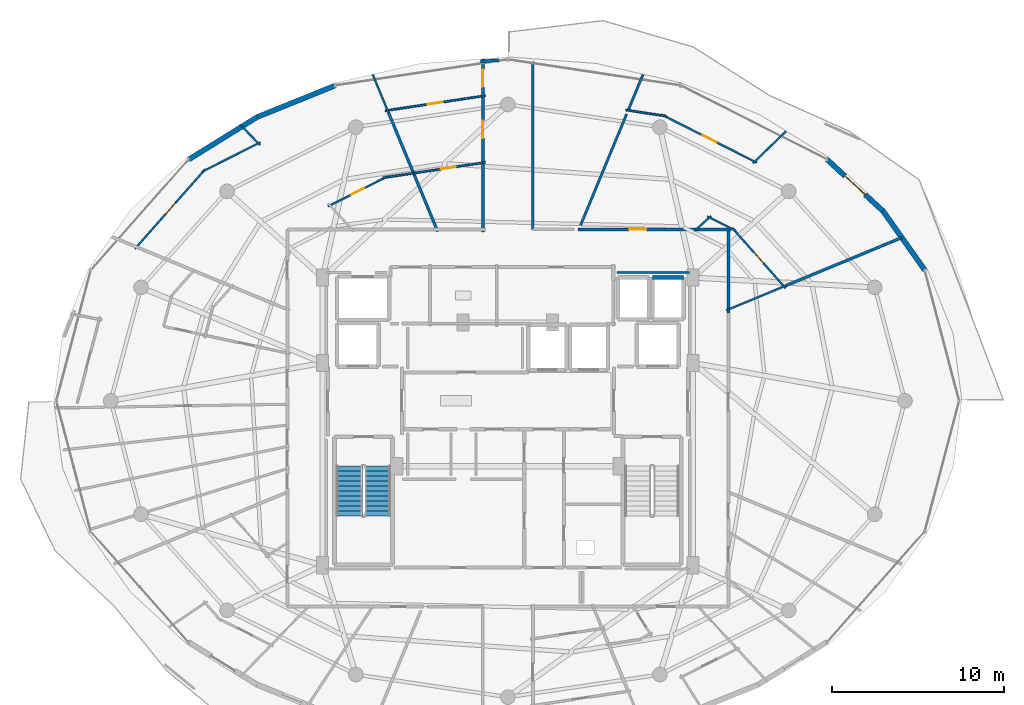
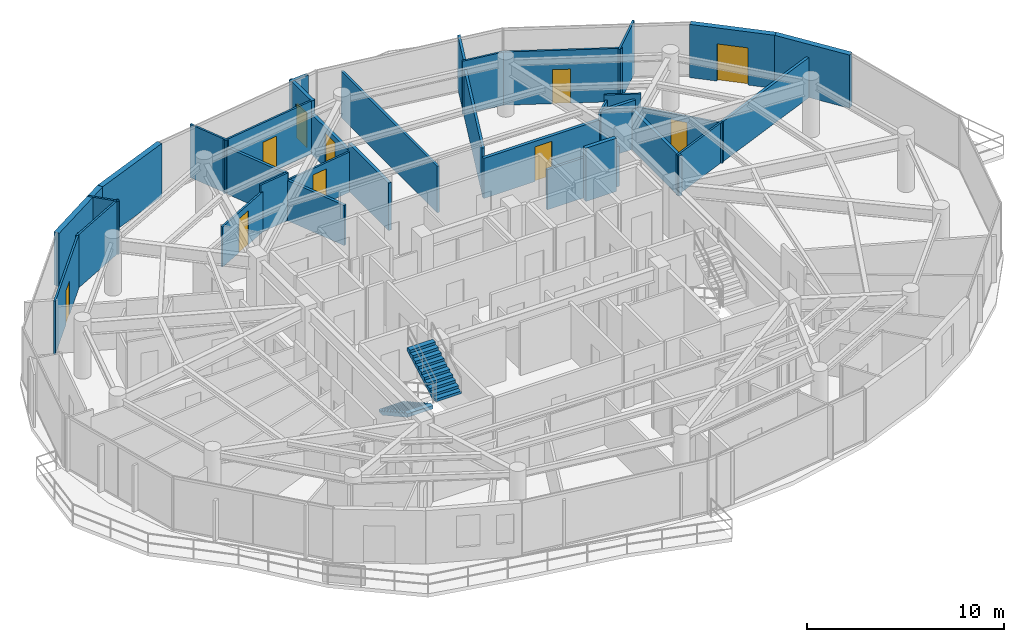
# One storey, part 28 of 32: 34 walls, 10 doors, 2 stair flights, 10 openings, 1 element without a shape of its own.
"""IFC4 building model written with IfcOpenShell, lengths in metres."""

from ifc_helpers import new_model, si_unit, direction, frame, frame_2d, origin, place, context, subcontext, project, spatial, polyline, rectangle, outline, extrude, material, layer, layer_set, type_object, element, fill, aggregate, save


model = new_model("IFC4")

# Units and contexts
model_context = context("Model", 3, precision=1e-05, world=origin(), true_north=direction((0.0, 1.0)))
body_context = subcontext(model_context, "Body", "Model", "MODEL_VIEW")
ifc_project = project(units=[si_unit("LENGTHUNIT", "METRE"), si_unit("AREAUNIT", "SQUARE_METRE"), si_unit("VOLUMEUNIT", "CUBIC_METRE"), si_unit("PLANEANGLEUNIT", "RADIAN"), si_unit("MASSUNIT", "GRAM", prefix="KILO")], contexts=[model_context])

# Site, building, storey
site_placement = place(None, origin())
site = spatial("IfcSite", under=ifc_project, at=site_placement, CompositionType="ELEMENT")
building_placement = place(site_placement, origin())
building = spatial("IfcBuilding", under=site, at=building_placement, Name="Vorneva Point Tower", CompositionType="ELEMENT")
storey_placement = place(building_placement, frame((0.0, 0.0, 269.75)))
storey = spatial("IfcBuildingStorey", under=building, at=storey_placement, Name="L73", CompositionType="ELEMENT", Elevation=269.75)

# Wall
ifc_material_1 = material(Name="Precast concrete B50 (C40/50)", Category="concrete")
ifc_layer_1 = layer(ifc_material_1, 0.300048828125)
ifc_layer_set_1 = layer_set([ifc_layer_1], Name="Precast concrete B50 (C40/50)")
wall_type_1 = type_object("IfcWallType", Name="WL-EXT-300", PredefinedType="STANDARD", material=ifc_layer_set_1)
wall_1_placement = place(storey_placement, frame((62.20556640625, 33.5810546875, 0.0), z_axis=(0.0, 0.0, 1.0), x_axis=(-0.577261247247, 0.816559521668, 0.0)))
element("IfcWall", 1, at=wall_1_placement, inside=storey, type_object=wall_type_1, Name="L73 Pale-Metal Facade Spandrel Wall 02.1", PredefinedType="STANDARD", context=body_context, shape_type="SweptSolid", body=[
    extrude(rectangle(XDim=4.194091796875, YDim=0.300048828125, at=frame_2d((2.09716796875, 0.0))), origin(), (0.0, 0.0, 1.0), 3.2900390625),
])

# Wall, opening, door
wall_2_placement = place(storey_placement, frame((59.784423828125, 37.005859375, 0.0), z_axis=(0.0, 0.0, 1.0), x_axis=(-0.735445373611, 0.677584018727, 0.0)))
wall_2 = element("IfcWall", 2, at=wall_2_placement, inside=storey, type_object=wall_type_1, Name="L73 Pale-Metal Facade Spandrel Wall 02.2", PredefinedType="STANDARD", context=body_context, shape_type="SweptSolid", body=[
    extrude(rectangle(XDim=4.430419921875, YDim=0.300048828125, at=frame_2d((2.21533203125, 0.0))), origin(), (0.0, 0.0, 1.0), 3.2900390625),
])
opening_1_placement = place(wall_2_placement, frame((1.415283203125, 0.0, 0.0)))
opening_1 = element("IfcOpeningElement", 3, at=opening_1_placement, cuts=wall_2, Name="Opening BD-01", PredefinedType="OPENING", context=body_context, shape_type="SweptSolid", body=[
    extrude(rectangle(XDim=1.60009765625, YDim=2.300048828125, at=frame_2d((0.800048828125, 1.14990234375))), frame((0.0, 0.1650390625, 0.0), z_axis=(0.0, -1.0, 0.0), x_axis=(1.0, 0.0, 0.0)), (0.0, 0.0, 1.0), 0.329833984375),
])
ifc_material_2 = material(Name="Pale anodised aluminium", Category="aluminium")
door_type_1 = type_object("IfcDoorType", Name="DR-BAL-1600", OperationType="SLIDING_TO_LEFT", PredefinedType="DOOR", material=ifc_material_2)
door_1_placement = place(opening_1_placement, origin())
door_1 = element("IfcDoor", 4, at=door_1_placement, inside=storey, type_object=door_type_1, Name="L73 Balcony Terrace Access Door 02", OperationType="SLIDING_TO_LEFT", OverallHeight=2.300048828125, OverallWidth=1.60009765625, PredefinedType="DOOR", context=body_context, shape_type="SweptSolid", body=[
    extrude(rectangle(XDim=1.60009765625, YDim=2.300048828125, at=frame_2d((0.800048828125, 1.14990234375))), frame((0.0, 0.02490234375, 0.0), z_axis=(0.0, -1.0, 0.0), x_axis=(1.0, 0.0, 0.0)), (0.0, 0.0, 1.0), 0.050048828125),
])
fill(opening_1, door_1)

# Walls
wall_3_placement = place(storey_placement, frame((27.9736328125, 44.302001953125, 0.0), z_axis=(0.0, 0.0, 1.0), x_axis=(-0.927147375511, -0.374696869594, 0.0)))
element("IfcWall", 5, at=wall_3_placement, inside=storey, type_object=wall_type_1, Name="L73 Pale-Metal Facade Spandrel Wall 06.1", PredefinedType="STANDARD", context=body_context, shape_type="SweptSolid", body=[
    extrude(rectangle(XDim=4.885498046875, YDim=0.300048828125, at=frame_2d((2.44287109375, 0.0))), origin(), (0.0, 0.0, 1.0), 3.2900390625),
])
wall_4_placement = place(storey_placement, frame((23.444091796875, 42.471435546875, 0.0), z_axis=(0.0, 0.0, 1.0), x_axis=(-0.849702323036, -0.527262707032, 0.0)))
element("IfcWall", 6, at=wall_4_placement, inside=storey, type_object=wall_type_1, Name="L73 Pale-Metal Facade Spandrel Wall 06.2", PredefinedType="STANDARD", context=body_context, shape_type="SweptSolid", body=[
    extrude(rectangle(XDim=4.67236328125, YDim=0.300048828125, at=frame_2d((2.336181640625, 0.0))), origin(), (0.0, 0.0, 1.0), 3.2900390625),
])
ifc_material_3 = material(Name="Fire-rated acoustic gypsum stud partition", Category="gypsum")
ifc_layer_2 = layer(ifc_material_3, 0.110107421875)
ifc_layer_set_2 = layer_set([ifc_layer_2], Name="Fire-rated acoustic gypsum stud partition")
wall_type_2 = type_object("IfcWallType", Name="WL-PART-110", PredefinedType="PARTITIONING", material=ifc_layer_set_2)
wall_5_placement = place(storey_placement, frame((48.831298828125, 35.855712890625, 0.0), z_axis=(0.0, 0.0, 1.0), x_axis=(0.739696022243, 0.672941152463, 0.0)))
element("IfcWall", 7, at=wall_5_placement, inside=storey, type_object=wall_type_2, Name="L73 Interior Partition 065", PredefinedType="PARTITIONING", context=body_context, shape_type="SweptSolid", body=[
    extrude(rectangle(XDim=1.31298828125, YDim=0.110107421875, at=frame_2d((0.656494140625, 0.0))), origin(), (0.0, 0.0, 1.0), 2.97900390625),
])
wall_6_placement = place(storey_placement, frame((49.573974609375, 36.7080078125, 0.0), z_axis=(0.0, 0.0, 1.0), x_axis=(0.8925722309, -0.450904438464, 0.0)))
element("IfcWall", 8, at=wall_6_placement, inside=storey, type_object=wall_type_2, Name="L73 Interior Partition 066", PredefinedType="PARTITIONING", context=body_context, shape_type="SweptSolid", body=[
    extrude(rectangle(XDim=1.876708984375, YDim=0.110107421875, at=frame_2d((0.9384765625, 0.0))), origin(), (0.0, 0.0, 1.0), 3.2900390625),
])

# Wall, opening, door
wall_7_placement = place(storey_placement, frame((51.03125, 36.02978515625, 0.0), z_axis=(0.0, 0.0, 1.0), x_axis=(0.662106207726, -0.749410014405, 0.0)))
wall_7 = element("IfcWall", 9, at=wall_7_placement, inside=storey, type_object=wall_type_2, Name="L73 Interior Partition 067", PredefinedType="PARTITIONING", context=body_context, shape_type="SweptSolid", body=[
    extrude(rectangle(XDim=4.66455078125, YDim=0.110107421875, at=frame_2d((2.332275390625, 0.0))), origin(), (0.0, 0.0, 1.0), 2.48193359375),
])
opening_2_placement = place(wall_7_placement, frame((1.9072265625, 0.0, 0.0)))
opening_2 = element("IfcOpeningElement", 10, at=opening_2_placement, cuts=wall_7, Name="Opening ID-02", PredefinedType="OPENING", context=body_context, shape_type="SweptSolid", body=[
    extrude(rectangle(XDim=0.85009765625, YDim=2.10009765625, at=frame_2d((0.425048828125, 1.050048828125))), frame((0.0, 0.06982421875, 0.0), z_axis=(0.0, -1.0, 0.0), x_axis=(1.0, 0.0, 0.0)), (0.0, 0.0, 1.0), 0.139892578125),
])
ifc_material_4 = material(Name="Engineered oak fire-rated door leaf", Category="wood")
door_type_2 = type_object("IfcDoorType", Name="DR-BATH-850", OperationType="NOTDEFINED", PredefinedType="DOOR", material=ifc_material_4)
door_2_placement = place(opening_2_placement, origin())
door_2 = element("IfcDoor", 11, at=door_2_placement, inside=storey, type_object=door_type_2, Name="L73 Door Studio Apartment L73-01 / Bathroom L73-01", OperationType="SINGLE_SWING_LEFT", OverallHeight=2.10009765625, OverallWidth=0.85009765625, PredefinedType="DOOR", context=body_context, shape_type="SweptSolid", body=[
    extrude(rectangle(XDim=0.85009765625, YDim=2.10009765625, at=frame_2d((0.425048828125, 1.050048828125))), frame((0.0, 0.02490234375, 0.0), z_axis=(0.0, -1.0, 0.0), x_axis=(1.0, 0.0, 0.0)), (0.0, 0.0, 1.0), 0.050048828125),
])
fill(opening_2, door_2)

# Wall
wall_8_placement = place(storey_placement, frame((54.15625, 32.692626953125, 0.0), z_axis=(0.0, 0.0, 1.0), x_axis=(-0.923827524065, -0.382808967736, 0.0)))
element("IfcWall", 12, at=wall_8_placement, inside=storey, type_object=wall_type_2, Name="L73 Interior Partition 068", PredefinedType="PARTITIONING", context=body_context, shape_type="SweptSolid", body=[
    extrude(rectangle(XDim=3.77294921875, YDim=0.110107421875, at=frame_2d((1.886474609375, 0.0))), origin(), (0.0, 0.0, 1.0), 2.48193359375),
])

# Wall, opening, door
wall_9_placement = place(storey_placement, frame((52.451904296875, 39.82080078125, 0.0), z_axis=(0.0, 0.0, 1.0), x_axis=(-0.89248283876, 0.451081348007, 0.0)))
wall_9 = element("IfcWall", 13, at=wall_9_placement, inside=storey, type_object=wall_type_2, Name="L73 Interior Partition 069", PredefinedType="PARTITIONING", context=body_context, shape_type="SweptSolid", body=[
    extrude(rectangle(XDim=6.17919921875, YDim=0.110107421875, at=frame_2d((3.089599609375, 0.0))), origin(), (0.0, 0.0, 1.0), 3.2900390625),
])
opening_3_placement = place(wall_9_placement, frame((2.6396484375, 0.0, 0.0)))
opening_3 = element("IfcOpeningElement", 14, at=opening_3_placement, cuts=wall_9, Name="Opening ID-01", PredefinedType="OPENING", context=body_context, shape_type="SweptSolid", body=[
    extrude(rectangle(XDim=0.89990234375, YDim=2.10009765625, at=frame_2d((0.449951171875, 1.050048828125))), frame((0.0, 0.06982421875, 0.0), z_axis=(0.0, -1.0, 0.0), x_axis=(1.0, 0.0, 0.0)), (0.0, 0.0, 1.0), 0.139892578125),
])
door_type_3 = type_object("IfcDoorType", Name="DR-ROOM-900", OperationType="NOTDEFINED", PredefinedType="DOOR", material=ifc_material_4)
door_3_placement = place(opening_3_placement, origin())
door_3 = element("IfcDoor", 15, at=door_3_placement, inside=storey, type_object=door_type_3, Name="L73 Door Studio Apartment L73-01 / Kitchen L73-01", OperationType="SINGLE_SWING_RIGHT", OverallHeight=2.10009765625, OverallWidth=0.89990234375, PredefinedType="DOOR", context=body_context, shape_type="SweptSolid", body=[
    extrude(rectangle(XDim=0.89990234375, YDim=2.10009765625, at=frame_2d((0.449951171875, 1.050048828125))), frame((0.0, 0.02490234375, 0.0), z_axis=(0.0, -1.0, 0.0), x_axis=(1.0, 0.0, 0.0)), (0.0, 0.0, 1.0), 0.050048828125),
])
fill(opening_3, door_3)

# Walls
wall_10_placement = place(storey_placement, frame((47.200439453125, 42.524169921875, 0.0), z_axis=(0.0, 0.0, 1.0), x_axis=(-0.988853520249, 0.148891623308, 0.0)))
element("IfcWall", 16, at=wall_10_placement, inside=storey, type_object=wall_type_2, Name="L73 Interior Partition 070", PredefinedType="PARTITIONING", context=body_context, shape_type="SweptSolid", body=[
    extrude(rectangle(XDim=2.382568359375, YDim=0.110107421875, at=frame_2d((1.19140625, 0.0))), origin(), (0.0, 0.0, 1.0), 3.2900390625),
])
wall_11_placement = place(storey_placement, frame((54.1435546875, 41.644287109375, 0.0), z_axis=(0.0, 0.0, 1.0), x_axis=(-0.718131661866, -0.695907261225, 0.0)))
element("IfcWall", 17, at=wall_11_placement, inside=storey, type_object=wall_type_2, Name="L73 Interior Partition 071", PredefinedType="PARTITIONING", context=body_context, shape_type="SweptSolid", body=[
    extrude(rectangle(XDim=2.66943359375, YDim=0.110107421875, at=frame_2d((1.334716796875, 0.0))), origin(), (0.0, 0.0, 1.0), 3.2900390625),
])

# Wall, opening, door
wall_12_placement = place(storey_placement, frame((32.4033203125, 39.1943359375, 0.0), z_axis=(0.0, 0.0, 1.0), x_axis=(0.988876765206, 0.148737161585, 0.0)))
wall_12 = element("IfcWall", 18, at=wall_12_placement, inside=storey, type_object=wall_type_2, Name="L73 Interior Partition 073", PredefinedType="PARTITIONING", context=body_context, shape_type="SweptSolid", body=[
    extrude(rectangle(XDim=4.333251953125, YDim=0.110107421875, at=frame_2d((2.16650390625, 0.0))), origin(), (0.0, 0.0, 1.0), 2.48193359375),
])
opening_4_placement = place(wall_12_placement, frame((1.734130859375, 0.0, 0.0)))
opening_4 = element("IfcOpeningElement", 19, at=opening_4_placement, cuts=wall_12, Name="Opening ID-02", PredefinedType="OPENING", context=body_context, shape_type="SweptSolid", body=[
    extrude(rectangle(XDim=0.85009765625, YDim=2.10009765625, at=frame_2d((0.425048828125, 1.050048828125))), frame((0.0, 0.06982421875, 0.0), z_axis=(0.0, -1.0, 0.0), x_axis=(1.0, 0.0, 0.0)), (0.0, 0.0, 1.0), 0.139892578125),
])
door_4_placement = place(opening_4_placement, origin())
door_4 = element("IfcDoor", 20, at=door_4_placement, inside=storey, type_object=door_type_2, Name="L73 Door Studio Apartment L73-02 / Bathroom L73-02", OperationType="SINGLE_SWING_LEFT", OverallHeight=2.10009765625, OverallWidth=0.85009765625, PredefinedType="DOOR", context=body_context, shape_type="SweptSolid", body=[
    extrude(rectangle(XDim=0.85009765625, YDim=2.10009765625, at=frame_2d((0.425048828125, 1.050048828125))), frame((0.0, 0.02490234375, 0.0), z_axis=(0.0, -1.0, 0.0), x_axis=(1.0, 0.0, 0.0)), (0.0, 0.0, 1.0), 0.050048828125),
])
fill(opening_4, door_4)

# Wall
wall_13_placement = place(storey_placement, frame((31.070556640625, 42.728759765625, 0.0), z_axis=(0.0, 0.0, 1.0), x_axis=(-0.382798716902, 0.923831771665, 0.0)))
element("IfcWall", 21, at=wall_13_placement, inside=storey, type_object=wall_type_2, Name="L73 Interior Partition 074", PredefinedType="PARTITIONING", context=body_context, shape_type="SweptSolid", body=[
    extrude(rectangle(XDim=2.396240234375, YDim=0.110107421875, at=frame_2d((1.1982421875, 0.0))), origin(), (0.0, 0.0, 1.0), 3.2900390625),
])

# Wall, opening, door
wall_14_placement = place(storey_placement, frame((36.6884765625, 43.710693359375, 0.0), z_axis=(0.0, 0.0, 1.0), x_axis=(-0.988884781275, -0.1486838571, 0.0)))
wall_14 = element("IfcWall", 22, at=wall_14_placement, inside=storey, type_object=wall_type_2, Name="L73 Interior Partition 075", PredefinedType="PARTITIONING", context=body_context, shape_type="SweptSolid", body=[
    extrude(rectangle(XDim=5.875, YDim=0.110107421875, at=frame_2d((2.9375, 0.0))), origin(), (0.0, 0.0, 1.0), 3.2900390625),
])
opening_5_placement = place(wall_14_placement, frame((2.487548828125, 0.0, 0.0)))
opening_5 = element("IfcOpeningElement", 23, at=opening_5_placement, cuts=wall_14, Name="Opening ID-01", PredefinedType="OPENING", context=body_context, shape_type="SweptSolid", body=[
    extrude(rectangle(XDim=0.89990234375, YDim=2.10009765625, at=frame_2d((0.449951171875, 1.050048828125))), frame((0.0, 0.06982421875, 0.0), z_axis=(0.0, -1.0, 0.0), x_axis=(1.0, 0.0, 0.0)), (0.0, 0.0, 1.0), 0.139892578125),
])
door_5_placement = place(opening_5_placement, origin())
door_5 = element("IfcDoor", 24, at=door_5_placement, inside=storey, type_object=door_type_3, Name="L73 Door Studio Apartment L73-02 / Kitchen L73-02", OperationType="SINGLE_SWING_RIGHT", OverallHeight=2.10009765625, OverallWidth=0.89990234375, PredefinedType="DOOR", context=body_context, shape_type="SweptSolid", body=[
    extrude(rectangle(XDim=0.89990234375, YDim=2.10009765625, at=frame_2d((0.449951171875, 1.050048828125))), frame((0.0, 0.02490234375, 0.0), z_axis=(0.0, -1.0, 0.0), x_axis=(1.0, 0.0, 0.0)), (0.0, 0.0, 1.0), 0.050048828125),
])
fill(opening_5, door_5)

wall_15_placement = place(storey_placement, frame((27.55517578125, 37.27880859375, 0.0), z_axis=(0.0, 0.0, 1.0), x_axis=(0.892457700076, 0.451131082475, 0.0)))
wall_15 = element("IfcWall", 25, at=wall_15_placement, inside=storey, type_object=wall_type_2, Name="L73 Interior Partition 079", PredefinedType="PARTITIONING", context=body_context, shape_type="SweptSolid", body=[
    extrude(rectangle(XDim=3.884521484375, YDim=0.110107421875, at=frame_2d((1.9423828125, 0.0))), origin(), (0.0, 0.0, 1.0), 2.48193359375),
])
opening_6_placement = place(wall_15_placement, frame((1.517333984375, 0.0, 0.0)))
opening_6 = element("IfcOpeningElement", 26, at=opening_6_placement, cuts=wall_15, Name="Opening ID-02", PredefinedType="OPENING", context=body_context, shape_type="SweptSolid", body=[
    extrude(rectangle(XDim=0.85009765625, YDim=2.10009765625, at=frame_2d((0.425048828125, 1.050048828125))), frame((0.0, 0.06982421875, 0.0), z_axis=(0.0, -1.0, 0.0), x_axis=(1.0, 0.0, 0.0)), (0.0, 0.0, 1.0), 0.139892578125),
])
door_6_placement = place(opening_6_placement, origin())
door_6 = element("IfcDoor", 27, at=door_6_placement, inside=storey, type_object=door_type_2, Name="L73 Door Studio Apartment L73-03 / Bathroom L73-03", OperationType="SINGLE_SWING_LEFT", OverallHeight=2.10009765625, OverallWidth=0.85009765625, PredefinedType="DOOR", context=body_context, shape_type="SweptSolid", body=[
    extrude(rectangle(XDim=0.85009765625, YDim=2.10009765625, at=frame_2d((0.425048828125, 1.050048828125))), frame((0.0, 0.02490234375, 0.0), z_axis=(0.0, -1.0, 0.0), x_axis=(1.0, 0.0, 0.0)), (0.0, 0.0, 1.0), 0.050048828125),
])
fill(opening_6, door_6)

# Walls
wall_16_placement = place(storey_placement, frame((30.758544921875, 38.947265625, 0.0), z_axis=(0.0, 0.0, 1.0), x_axis=(0.988905026233, 0.148549147056, 0.0)))
element("IfcWall", 28, at=wall_16_placement, inside=storey, type_object=wall_type_2, Name="L73 Interior Partition 080", PredefinedType="PARTITIONING", context=body_context, shape_type="SweptSolid", body=[
    extrude(rectangle(XDim=1.7734375, YDim=0.110107421875, at=frame_2d((0.88671875, 0.0))), origin(), (0.0, 0.0, 1.0), 2.93603515625),
])
wall_17_placement = place(storey_placement, frame((22.469482421875, 42.026611328125, 0.0), z_axis=(0.0, 0.0, 1.0), x_axis=(0.695953252392, -0.718087091156, 0.0)))
element("IfcWall", 29, at=wall_17_placement, inside=storey, type_object=wall_type_2, Name="L73 Interior Partition 081", PredefinedType="PARTITIONING", context=body_context, shape_type="SweptSolid", body=[
    extrude(rectangle(XDim=1.6435546875, YDim=0.110107421875, at=frame_2d((0.82177734375, 0.0))), origin(), (0.0, 0.0, 1.0), 3.2900390625),
])
wall_18_placement = place(storey_placement, frame((23.640869140625, 41.01025390625, 0.0), z_axis=(0.0, 0.0, 1.0), x_axis=(-0.892414796855, -0.451215946476, 0.0)))
element("IfcWall", 30, at=wall_18_placement, inside=storey, type_object=wall_type_2, Name="L73 Interior Partition 082", PredefinedType="PARTITIONING", context=body_context, shape_type="SweptSolid", body=[
    extrude(rectangle(XDim=3.826416015625, YDim=0.110107421875, at=frame_2d((1.9130859375, 0.0))), origin(), (0.0, 0.0, 1.0), 3.2900390625),
])

# Wall, opening, door
wall_19_placement = place(storey_placement, frame((20.443603515625, 39.451904296875, 0.0), z_axis=(0.0, 0.0, 1.0), x_axis=(-0.662167862663, -0.749355537549, 0.0)))
wall_19 = element("IfcWall", 31, at=wall_19_placement, inside=storey, type_object=wall_type_2, Name="L73 Interior Partition 083", PredefinedType="PARTITIONING", context=body_context, shape_type="SweptSolid", body=[
    extrude(rectangle(XDim=6.17724609375, YDim=0.110107421875, at=frame_2d((3.088623046875, 0.0))), origin(), (0.0, 0.0, 1.0), 3.2900390625),
])
opening_7_placement = place(wall_19_placement, frame((2.638671875, 0.0, 0.0)))
opening_7 = element("IfcOpeningElement", 32, at=opening_7_placement, cuts=wall_19, Name="Opening ID-01", PredefinedType="OPENING", context=body_context, shape_type="SweptSolid", body=[
    extrude(rectangle(XDim=0.89990234375, YDim=2.10009765625, at=frame_2d((0.449951171875, 1.050048828125))), frame((0.0, 0.06982421875, 0.0), z_axis=(0.0, -1.0, 0.0), x_axis=(1.0, 0.0, 0.0)), (0.0, 0.0, 1.0), 0.139892578125),
])
door_7_placement = place(opening_7_placement, origin())
door_7 = element("IfcDoor", 33, at=door_7_placement, inside=storey, type_object=door_type_3, Name="L73 Door Studio Apartment L73-03 / Kitchen L73-03", OperationType="SINGLE_SWING_RIGHT", OverallHeight=2.10009765625, OverallWidth=0.89990234375, PredefinedType="DOOR", context=body_context, shape_type="SweptSolid", body=[
    extrude(rectangle(XDim=0.89990234375, YDim=2.10009765625, at=frame_2d((0.449951171875, 1.050048828125))), frame((0.0, 0.02490234375, 0.0), z_axis=(0.0, -1.0, 0.0), x_axis=(1.0, 0.0, 0.0)), (0.0, 0.0, 1.0), 0.050048828125),
])
fill(opening_7, door_7)

# Walls
ifc_layer_3 = layer(ifc_material_3, 0.139892578125)
ifc_layer_set_3 = layer_set([ifc_layer_3], Name="Fire-rated acoustic gypsum stud partition")
wall_type_3 = type_object("IfcWallType", Name="WL-PART-140", PredefinedType="PARTITIONING", material=ifc_layer_set_3)
wall_20_placement = place(storey_placement, frame((39.449951171875, 35.949951171875, 0.0), z_axis=(0.0, 0.0, 1.0), x_axis=(0.0, 1.0, 0.0)))
element("IfcWall", 34, at=wall_20_placement, inside=storey, type_object=wall_type_3, Name="L73 Interior Closure Partition 139", PredefinedType="PARTITIONING", context=body_context, shape_type="SweptSolid", body=[
    extrude(rectangle(XDim=9.7509765625, YDim=0.139892578125, at=frame_2d((4.87548828125, 0.0))), origin(), (0.0, 0.0, 1.0), 2.8740234375),
])
wall_21_placement = place(storey_placement, frame((48.550048828125, 33.449951171875, 0.0), z_axis=(0.0, 0.0, 1.0), x_axis=(-1.0, 0.0, 0.0)))
element("IfcWall", 35, at=wall_21_placement, inside=storey, type_object=wall_type_3, Name="L73 Interior Closure Partition 144", PredefinedType="PARTITIONING", context=body_context, shape_type="SweptSolid", body=[
    extrude(rectangle(XDim=4.2099609375, YDim=0.139892578125, at=frame_2d((2.10498046875, 0.0))), origin(), (0.0, 0.0, 1.0), 2.48193359375),
])
wall_22_placement = place(storey_placement, frame((44.89599609375, 42.64892578125, 0.0), z_axis=(0.0, 0.0, 1.0), x_axis=(-0.382690075828, -0.923876780671, 0.0)))
element("IfcWall", 36, at=wall_22_placement, inside=storey, type_object=wall_type_3, Name="L73 Interior Closure Partition 151", PredefinedType="PARTITIONING", context=body_context, shape_type="SweptSolid", body=[
    extrude(rectangle(XDim=6.990234375, YDim=0.139892578125, at=frame_2d((3.4951171875, 0.0))), origin(), (0.0, 0.0, 1.0), 2.8740234375),
])
wall_23_placement = place(storey_placement, frame((45.8466796875, 44.9423828125, 0.0), z_axis=(0.0, 0.0, 1.0), x_axis=(-0.382997215295, -0.923749496929, 0.0)))
element("IfcWall", 37, at=wall_23_placement, inside=storey, type_object=wall_type_3, Name="L73 Interior Closure Partition 152", PredefinedType="PARTITIONING", context=body_context, shape_type="SweptSolid", body=[
    extrude(rectangle(XDim=2.28271484375, YDim=0.139892578125, at=frame_2d((1.141357421875, 0.0))), origin(), (0.0, 0.0, 1.0), 3.2900390625),
])
ifc_layer_4 = layer(ifc_material_3, 0.159912109375)
ifc_layer_set_4 = layer_set([ifc_layer_4], Name="Fire-rated acoustic gypsum stud partition")
wall_type_4 = type_object("IfcWallType", Name="WL-PART-160", PredefinedType="PARTITIONING", material=ifc_layer_set_4)
wall_24_placement = place(storey_placement, frame((54.156494140625, 32.6923828125, 0.0), z_axis=(0.0, 0.0, 1.0), x_axis=(0.923880411625, 0.382681309989, 0.0)))
element("IfcWall", 38, at=wall_24_placement, inside=storey, type_object=wall_type_4, Name="L73 Interior Partition 072", PredefinedType="PARTITIONING", context=body_context, shape_type="SweptSolid", body=[
    extrude(rectangle(XDim=7.263427734375, YDim=0.159912109375, at=frame_2d((3.6318359375, 0.0))), origin(), (0.0, 0.0, 1.0), 2.48193359375),
])
wall_25_placement = place(storey_placement, frame((31.070556640625, 42.728759765625, 0.0), z_axis=(0.0, 0.0, 1.0), x_axis=(0.382733287877, -0.923858880106, 0.0)))
element("IfcWall", 39, at=wall_25_placement, inside=storey, type_object=wall_type_4, Name="L73 Interior Partition 076", PredefinedType="PARTITIONING", context=body_context, shape_type="SweptSolid", body=[
    extrude(rectangle(XDim=3.8056640625, YDim=0.159912109375, at=frame_2d((1.90283203125, 0.0))), origin(), (0.0, 0.0, 1.0), 2.8740234375),
])
wall_26_placement = place(storey_placement, frame((32.473388671875, 39.34228515625, 0.0), z_axis=(0.0, 0.0, 1.0), x_axis=(0.382813734438, -0.92382554886, 0.0)))
element("IfcWall", 40, at=wall_26_placement, inside=storey, type_object=wall_type_4, Name="L73 Interior Partition 077", PredefinedType="PARTITIONING", context=body_context, shape_type="SweptSolid", body=[
    extrude(rectangle(XDim=3.811767578125, YDim=0.159912109375, at=frame_2d((1.90576171875, 0.0))), origin(), (0.0, 0.0, 1.0), 2.48193359375),
])

# Wall, opening, door
ifc_material_5 = material(Name="Autoclaved aerated concrete blockwork", Category="masonry")
ifc_layer_5 = layer(ifc_material_5, 0.179931640625)
ifc_layer_set_5 = layer_set([ifc_layer_5], Name="Autoclaved aerated concrete blockwork")
wall_type_5 = type_object("IfcWallType", Name="WL-PART-180", PredefinedType="PARTITIONING", material=ifc_layer_set_5)
wall_27_placement = place(storey_placement, frame((49.02392578125, 35.949951171875, 0.0), z_axis=(0.0, 0.0, 1.0), x_axis=(-1.0, 0.0, 0.0)))
wall_27 = element("IfcWall", 41, at=wall_27_placement, inside=storey, type_object=wall_type_5, Name="L73 Interior Partition 031", PredefinedType="PARTITIONING", context=body_context, shape_type="SweptSolid", body=[
    extrude(rectangle(XDim=6.962890625, YDim=0.179931640625, at=frame_2d((3.4814453125, 0.0))), origin(), (0.0, 0.0, 1.0), 2.48193359375),
])
opening_8_placement = place(wall_27_placement, frame((2.9814453125, 0.0, 0.0)))
opening_8 = element("IfcOpeningElement", 42, at=opening_8_placement, cuts=wall_27, Name="Opening UD-01", PredefinedType="OPENING", context=body_context, shape_type="SweptSolid", body=[
    extrude(rectangle(XDim=1.0, YDim=2.14990234375, at=frame_2d((0.5, 1.074951171875))), frame((0.0, 0.10498046875, 0.0), z_axis=(0.0, -1.0, 0.0), x_axis=(1.0, 0.0, 0.0)), (0.0, 0.0, 1.0), 0.209716796875),
])
door_type_4 = type_object("IfcDoorType", Name="DR-UNIT-1000", OperationType="NOTDEFINED", PredefinedType="DOOR", material=ifc_material_4)
door_8_placement = place(opening_8_placement, origin())
door_8 = element("IfcDoor", 43, at=door_8_placement, inside=storey, type_object=door_type_4, Name="L73 Door L73 Circulation Corridor / Studio Apartment L73-01", OperationType="SINGLE_SWING_LEFT", OverallHeight=2.14990234375, OverallWidth=1.0, PredefinedType="DOOR", context=body_context, shape_type="SweptSolid", body=[
    extrude(rectangle(XDim=1.0, YDim=2.14990234375, at=frame_2d((0.5, 1.074951171875))), frame((0.0, 0.02490234375, 0.0), z_axis=(0.0, -1.0, 0.0), x_axis=(1.0, 0.0, 0.0)), (0.0, 0.0, 1.0), 0.050048828125),
])
fill(opening_8, door_8)

# Walls
wall_28_placement = place(storey_placement, frame((50.800048828125, 31.10205078125, 0.0), z_axis=(0.0, 0.0, 1.0), x_axis=(0.0, 1.0, 0.0)))
element("IfcWall", 44, at=wall_28_placement, inside=storey, type_object=wall_type_5, Name="L73 Interior Partition 032", PredefinedType="PARTITIONING", context=body_context, shape_type="SweptSolid", body=[
    extrude(rectangle(XDim=4.988037109375, YDim=0.179931640625, at=frame_2d((2.494140625, 0.0))), origin(), (0.0, 0.0, 1.0), 2.48193359375),
])
wall_29_placement = place(storey_placement, frame((50.93994140625, 35.949951171875, 0.0), z_axis=(0.0, 0.0, 1.0), x_axis=(-1.0, 0.0, 0.0)))
element("IfcWall", 45, at=wall_29_placement, inside=storey, type_object=wall_type_5, Name="L73 Interior Partition 033", PredefinedType="PARTITIONING", context=body_context, shape_type="SweptSolid", body=[
    extrude(rectangle(XDim=2.055908203125, YDim=0.179931640625, at=frame_2d((1.02783203125, 0.0))), origin(), (0.0, 0.0, 1.0), 2.97900390625),
])

# Wall, opening, door
wall_30_placement = place(storey_placement, frame((36.550048828125, 43.75, 0.0), z_axis=(0.0, 0.0, 1.0), x_axis=(0.0, -1.0, 0.0)))
wall_30 = element("IfcWall", 46, at=wall_30_placement, inside=storey, type_object=wall_type_5, Name="L73 Interior Partition 034", PredefinedType="PARTITIONING", context=body_context, shape_type="SweptSolid", body=[
    extrude(rectangle(XDim=3.992919921875, YDim=0.179931640625, at=frame_2d((1.99658203125, 0.0))), origin(), (0.0, 0.0, 1.0), 2.48193359375),
])
opening_9_placement = place(wall_30_placement, frame((1.49658203125, 0.0, 0.0)))
opening_9 = element("IfcOpeningElement", 47, at=opening_9_placement, cuts=wall_30, Name="Opening UD-01", PredefinedType="OPENING", context=body_context, shape_type="SweptSolid", body=[
    extrude(rectangle(XDim=1.0, YDim=2.14990234375, at=frame_2d((0.5, 1.074951171875))), frame((0.0, 0.10498046875, 0.0), z_axis=(0.0, -1.0, 0.0), x_axis=(1.0, 0.0, 0.0)), (0.0, 0.0, 1.0), 0.209716796875),
])
door_9_placement = place(opening_9_placement, origin())
door_9 = element("IfcDoor", 48, at=door_9_placement, inside=storey, type_object=door_type_4, Name="L73 Door L73 Circulation Corridor / Studio Apartment L73-02", OperationType="SINGLE_SWING_RIGHT", OverallHeight=2.14990234375, OverallWidth=1.0, PredefinedType="DOOR", context=body_context, shape_type="SweptSolid", body=[
    extrude(rectangle(XDim=1.0, YDim=2.14990234375, at=frame_2d((0.5, 1.074951171875))), frame((0.0, 0.02490234375, 0.0), z_axis=(0.0, -1.0, 0.0), x_axis=(1.0, 0.0, 0.0)), (0.0, 0.0, 1.0), 0.050048828125),
])
fill(opening_9, door_9)

# Walls
wall_31_placement = place(storey_placement, frame((36.550048828125, 39.89697265625, 0.0), z_axis=(0.0, 0.0, 1.0), x_axis=(0.0, -1.0, 0.0)))
element("IfcWall", 49, at=wall_31_placement, inside=storey, type_object=wall_type_5, Name="L73 Interior Partition 035", PredefinedType="PARTITIONING", context=body_context, shape_type="SweptSolid", body=[
    extrude(rectangle(XDim=4.0869140625, YDim=0.179931640625, at=frame_2d((2.04345703125, 0.0))), origin(), (0.0, 0.0, 1.0), 2.93603515625),
])
wall_32_placement = place(storey_placement, frame((37.468505859375, 45.7705078125, 0.0), z_axis=(0.0, 0.0, 1.0), x_axis=(-0.997148461952, -0.075464858219, 0.0)))
element("IfcWall", 50, at=wall_32_placement, inside=storey, type_object=wall_type_5, Name="L73 Interior Partition 037", PredefinedType="PARTITIONING", context=body_context, shape_type="SweptSolid", body=[
    extrude(rectangle(XDim=1.06103515625, YDim=0.179931640625, at=frame_2d((0.530517578125, 0.0))), origin(), (0.0, 0.0, 1.0), 3.2900390625),
])

# Wall, opening, door
wall_33_placement = place(storey_placement, frame((36.550048828125, 45.841064453125, 0.0), z_axis=(0.0, 0.0, 1.0), x_axis=(0.0, -1.0, 0.0)))
wall_33 = element("IfcWall", 51, at=wall_33_placement, inside=storey, type_object=wall_type_5, Name="L73 Interior Partition 038", PredefinedType="PARTITIONING", context=body_context, shape_type="SweptSolid", body=[
    extrude(rectangle(XDim=2.23095703125, YDim=0.179931640625, at=frame_2d((1.115478515625, 0.0))), origin(), (0.0, 0.0, 1.0), 3.2900390625),
])
opening_10_placement = place(wall_33_placement, frame((0.615478515625, 0.0, 0.0)))
opening_10 = element("IfcOpeningElement", 52, at=opening_10_placement, cuts=wall_33, Name="Opening UD-01", PredefinedType="OPENING", context=body_context, shape_type="SweptSolid", body=[
    extrude(rectangle(XDim=1.0, YDim=2.14990234375, at=frame_2d((0.5, 1.074951171875))), frame((0.0, 0.10498046875, 0.0), z_axis=(0.0, -1.0, 0.0), x_axis=(1.0, 0.0, 0.0)), (0.0, 0.0, 1.0), 0.209716796875),
])
door_10_placement = place(opening_10_placement, origin())
door_10 = element("IfcDoor", 53, at=door_10_placement, inside=storey, type_object=door_type_4, Name="L73 Door L73 Circulation Corridor / Kitchen L73-02", OperationType="SINGLE_SWING_LEFT", OverallHeight=2.14990234375, OverallWidth=1.0, PredefinedType="DOOR", context=body_context, shape_type="SweptSolid", body=[
    extrude(rectangle(XDim=1.0, YDim=2.14990234375, at=frame_2d((0.5, 1.074951171875))), frame((0.0, 0.02490234375, 0.0), z_axis=(0.0, -1.0, 0.0), x_axis=(1.0, 0.0, 0.0)), (0.0, 0.0, 1.0), 0.050048828125),
])
fill(opening_10, door_10)

# Wall
ifc_material_6 = material(Name="Concrete B50 (C40/50)", Category="concrete")
ifc_layer_6 = layer(ifc_material_6, 0.219970703125)
ifc_layer_set_6 = layer_set([ifc_layer_6], Name="Concrete B50 (C40/50)")
wall_type_6 = type_object("IfcWallType", Name="WL-SHFT-220", PredefinedType="SOLIDWALL", material=ifc_layer_set_6)
wall_34_placement = place(storey_placement, frame((48.199951171875, 33.159912109375, 0.0), z_axis=(0.0, 0.0, 1.0), x_axis=(-1.0, 0.0, 0.0)))
element("IfcWall", 54, at=wall_34_placement, inside=storey, type_object=wall_type_6, Name="L73 Lift EX2 Shaft Wall +Y", PredefinedType="SOLIDWALL", context=body_context, shape_type="SweptSolid", body=[
    extrude(rectangle(XDim=1.800048828125, YDim=0.219970703125, at=frame_2d((0.89990234375, 0.0))), origin(), (0.0, 0.0, 1.0), 3.2900390625),
])

# Stair, stair flights
stair_type = type_object("IfcStairType", Name="ST-DOG-1500", PredefinedType="HALF_TURN_STAIR", material=ifc_material_6)
stair_placement = place(storey_placement, origin())
stair = element("IfcStair", 55, at=stair_placement, inside=storey, type_object=stair_type, Name="L73 ST1", PredefinedType="HALF_TURN_STAIR")
stair_flight_type = type_object("IfcStairFlightType", Name="STF-1500", PredefinedType="STRAIGHT", material=ifc_material_6)
stair_flight_1_placement = place(storey_placement, frame((28.800048828125, 22.219970703125, 0.0), z_axis=(0.0, 0.0, 1.0), x_axis=(0.0, -1.0, 0.0)))
stair_flight_1 = element("IfcStairFlight", 56, at=stair_flight_1_placement, type_object=stair_flight_type, Name="ST1 flight 1", NumberOfRisers=11, NumberOfTreads=10, PredefinedType="STRAIGHT", RiserHeight=0.161363636, TreadLength=0.29, context=body_context, shape_type="SweptSolid", body=[
    extrude(outline(polyline([(0.0, 0.0), (0.0, 0.161376953125), (0.2900390625, 0.161376953125), (0.2900390625, 0.32275390625), (0.580078125, 0.32275390625), (0.580078125, 0.484130859375), (0.8701171875, 0.484130859375), (0.8701171875, 0.6455078125), (1.159912109375, 0.6455078125), (1.159912109375, 0.806884765625), (1.449951171875, 0.806884765625), (1.449951171875, 0.96826171875), (1.739990234375, 0.96826171875), (1.739990234375, 1.129638671875), (2.030029296875, 1.129638671875), (2.030029296875, 1.291015625), (2.320068359375, 1.291015625), (2.320068359375, 1.452392578125), (2.610107421875, 1.452392578125), (2.610107421875, 1.613525390625), (2.89990234375, 1.613525390625), (2.89990234375, 1.77490234375), (2.89990234375, 1.40771484375), (0.3701171875, 0.0), (0.0, 0.0)])), frame((0.0, 0.75, 0.0), z_axis=(0.0, -1.0, 0.0), x_axis=(1.0, 0.0, 0.0)), (0.0, 0.0, 1.0), 1.5),
])
stair_flight_2_placement = place(storey_placement, frame((30.449951171875, 19.320068359375, 1.77490234375), z_axis=(0.0, 0.0, 1.0), x_axis=(0.0, 1.0, 0.0)))
stair_flight_2 = element("IfcStairFlight", 57, at=stair_flight_2_placement, type_object=stair_flight_type, Name="ST1 flight 2", NumberOfRisers=11, NumberOfTreads=10, PredefinedType="STRAIGHT", RiserHeight=0.161363636, TreadLength=0.29, context=body_context, shape_type="SweptSolid", body=[
    extrude(outline(polyline([(0.0, 0.0), (0.0, 0.161376953125), (0.2900390625, 0.161376953125), (0.2900390625, 0.32275390625), (0.580078125, 0.32275390625), (0.580078125, 0.484130859375), (0.8701171875, 0.484130859375), (0.8701171875, 0.6455078125), (1.159912109375, 0.6455078125), (1.159912109375, 0.806884765625), (1.449951171875, 0.806884765625), (1.449951171875, 0.96826171875), (1.739990234375, 0.96826171875), (1.739990234375, 1.129638671875), (2.030029296875, 1.129638671875), (2.030029296875, 1.291015625), (2.320068359375, 1.291015625), (2.320068359375, 1.452392578125), (2.610107421875, 1.452392578125), (2.610107421875, 1.613525390625), (2.89990234375, 1.613525390625), (2.89990234375, 1.77490234375), (2.89990234375, 1.40771484375), (0.3701171875, 0.0), (0.0, 0.0)])), frame((0.0, 0.75, 0.0), z_axis=(0.0, -1.0, 0.0), x_axis=(1.0, 0.0, 0.0)), (0.0, 0.0, 1.0), 1.5),
])
aggregate(stair, [stair_flight_1, stair_flight_2])

save(model, "model.ifc")
